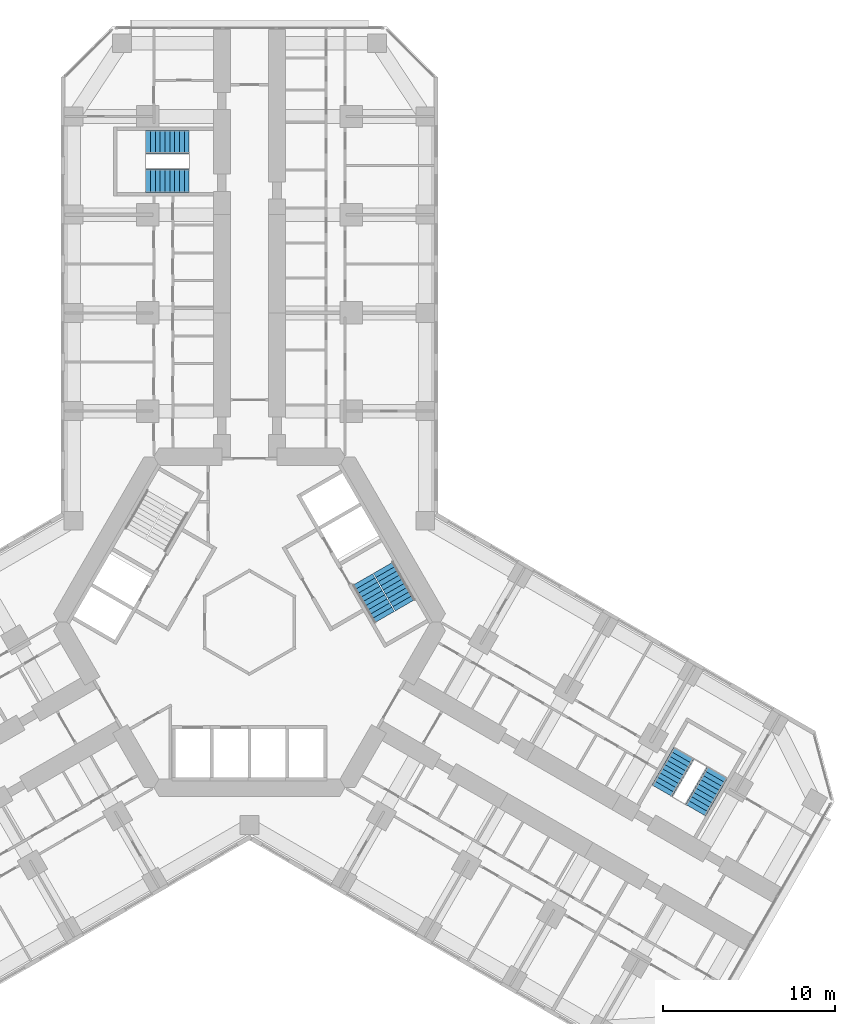
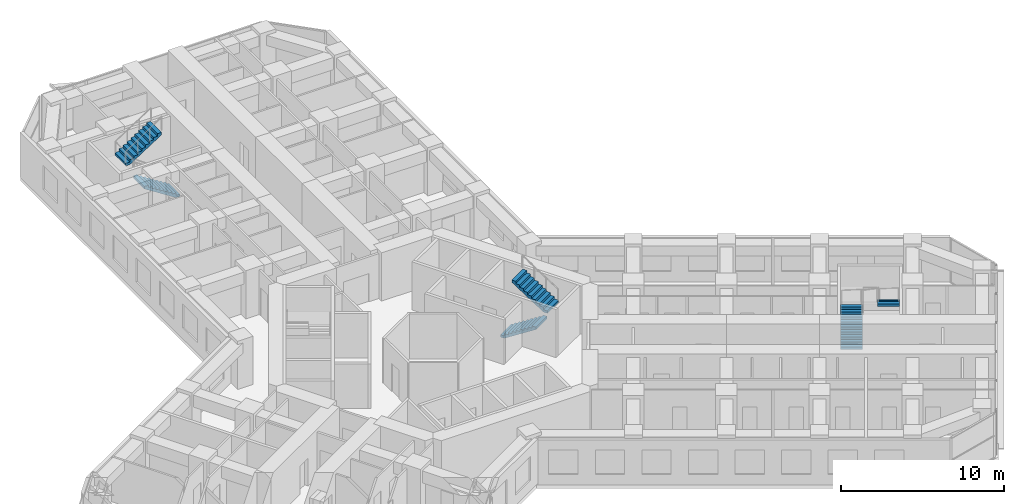
# One storey, part 20 of 21: 6 stair flights, 3 elements without a shape of their own.
"""IFC4 building model written with IfcOpenShell, lengths in metres."""

from ifc_helpers import new_model, si_unit, direction, frame, origin, place, context, subcontext, project, spatial, polyline, outline, extrude, material, type_object, element, aggregate, save


model = new_model("IFC4")

# Units and contexts
model_context = context("Model", 3, precision=1e-05, world=origin(), true_north=direction((0.0, 1.0)))
body_context = subcontext(model_context, "Body", "Model", "MODEL_VIEW")
ifc_project = project(units=[si_unit("LENGTHUNIT", "METRE"), si_unit("AREAUNIT", "SQUARE_METRE"), si_unit("VOLUMEUNIT", "CUBIC_METRE"), si_unit("PLANEANGLEUNIT", "RADIAN"), si_unit("MASSUNIT", "GRAM", prefix="KILO")], contexts=[model_context])

# Site, building, storey
site_placement = place(None, origin())
site = spatial("IfcSite", under=ifc_project, at=site_placement, CompositionType="ELEMENT")
building_placement = place(site_placement, origin())
building = spatial("IfcBuilding", under=site, at=building_placement, Name="Kosmar Iwan School Tower", CompositionType="ELEMENT")
storey_placement = place(building_placement, frame((0.0, 0.0, 39.39990234375)))
storey = spatial("IfcBuildingStorey", under=building, at=storey_placement, Name="L08", CompositionType="ELEMENT", Elevation=39.39990234375)

# Stair, stair flights
ifc_material_1 = material(Name="Concrete C35/45", Category="concrete")
stair_type_1 = type_object("IfcStairType", Name="Escape stair 3600", PredefinedType="HALF_TURN_STAIR", material=ifc_material_1)
stair_1_placement = place(storey_placement, origin())
stair_1 = element("IfcStair", 1, at=stair_1_placement, inside=storey, type_object=stair_type_1, Name="Stair WS1 L08", PredefinedType="HALF_TURN_STAIR")
ifc_material_2 = material(Name="Concrete C35/45", Category="concrete")
stair_flight_type_1 = type_object("IfcStairFlightType", Name="Escape stair flight 1350", PredefinedType="STRAIGHT", material=ifc_material_2)
stair_flight_1_placement = place(storey_placement, frame((-3.5, 25.625, 0.0), z_axis=(0.0, 0.0, 1.0), x_axis=(-1.0, 0.0, 0.0)))
stair_flight_1 = element("IfcStairFlight", 2, at=stair_flight_1_placement, type_object=stair_flight_type_1, Name="WS1 flight 1", NumberOfRisers=10, NumberOfTreads=9, PredefinedType="STRAIGHT", RiserHeight=0.18, TreadLength=0.28, context=body_context, shape_type="SweptSolid", body=[
    extrude(outline(polyline([(0.0, 0.0), (0.0, 0.179931640625), (0.280029296875, 0.179931640625), (0.280029296875, 0.360107421875), (0.56005859375, 0.360107421875), (0.56005859375, 0.5400390625), (0.840087890625, 0.5400390625), (0.840087890625, 0.719970703125), (1.1201171875, 0.719970703125), (1.1201171875, 0.89990234375), (1.39990234375, 0.89990234375), (1.39990234375, 1.080078125), (1.679931640625, 1.080078125), (1.679931640625, 1.260009765625), (1.9599609375, 1.260009765625), (1.9599609375, 1.43994140625), (2.239990234375, 1.43994140625), (2.239990234375, 1.6201171875), (2.52001953125, 1.6201171875), (2.52001953125, 1.800048828125), (2.52001953125, 1.44189453125), (0.277099609375, 0.0), (0.0, 0.0)])), frame((0.0, 0.675048828125, 0.0), z_axis=(0.0, -1.0, 0.0), x_axis=(1.0, 0.0, 0.0)), (0.0, 0.0, 1.0), 1.35009765625),
])
stair_flight_2_placement = place(storey_placement, frame((-6.02001953125, 27.875, 1.800048828125), z_axis=(0.0, 0.0, 1.0), x_axis=(1.0, 0.0, 0.0)))
stair_flight_2 = element("IfcStairFlight", 3, at=stair_flight_2_placement, type_object=stair_flight_type_1, Name="WS1 flight 2", NumberOfRisers=10, NumberOfTreads=9, PredefinedType="STRAIGHT", RiserHeight=0.18, TreadLength=0.28, context=body_context, shape_type="SweptSolid", body=[
    extrude(outline(polyline([(0.0, 0.0), (0.0, 0.179931640625), (0.280029296875, 0.179931640625), (0.280029296875, 0.360107421875), (0.56005859375, 0.360107421875), (0.56005859375, 0.5400390625), (0.840087890625, 0.5400390625), (0.840087890625, 0.719970703125), (1.1201171875, 0.719970703125), (1.1201171875, 0.89990234375), (1.39990234375, 0.89990234375), (1.39990234375, 1.080078125), (1.679931640625, 1.080078125), (1.679931640625, 1.260009765625), (1.9599609375, 1.260009765625), (1.9599609375, 1.43994140625), (2.239990234375, 1.43994140625), (2.239990234375, 1.6201171875), (2.52001953125, 1.6201171875), (2.52001953125, 1.800048828125), (2.52001953125, 1.44189453125), (0.277099609375, 0.0), (0.0, 0.0)])), frame((0.0, 0.675048828125, 0.0), z_axis=(0.0, -1.0, 0.0), x_axis=(1.0, 0.0, 0.0)), (0.0, 0.0, 1.0), 1.35009765625),
])
aggregate(stair_1, [stair_flight_1, stair_flight_2])

stair_2_placement = place(storey_placement, origin())
stair_2 = element("IfcStair", 4, at=stair_2_placement, inside=storey, type_object=stair_type_1, Name="Stair WS3 L08", PredefinedType="HALF_TURN_STAIR")
stair_flight_3_placement = place(storey_placement, frame((23.94189453125, -9.781494140625, 0.0), z_axis=(0.0, 0.0, 1.0), x_axis=(0.5, 0.866025403784, 0.0)))
stair_flight_3 = element("IfcStairFlight", 5, at=stair_flight_3_placement, type_object=stair_flight_type_1, Name="WS3 flight 1", NumberOfRisers=10, NumberOfTreads=9, PredefinedType="STRAIGHT", RiserHeight=0.18, TreadLength=0.28, context=body_context, shape_type="SweptSolid", body=[
    extrude(outline(polyline([(0.0, 0.0), (0.0, 0.179931640625), (0.280029296875, 0.179931640625), (0.280029296875, 0.360107421875), (0.56005859375, 0.360107421875), (0.56005859375, 0.5400390625), (0.840087890625, 0.5400390625), (0.840087890625, 0.719970703125), (1.1201171875, 0.719970703125), (1.1201171875, 0.89990234375), (1.39990234375, 0.89990234375), (1.39990234375, 1.080078125), (1.679931640625, 1.080078125), (1.679931640625, 1.260009765625), (1.9599609375, 1.260009765625), (1.9599609375, 1.43994140625), (2.239990234375, 1.43994140625), (2.239990234375, 1.6201171875), (2.52001953125, 1.6201171875), (2.52001953125, 1.800048828125), (2.52001953125, 1.44189453125), (0.277099609375, 0.0), (0.0, 0.0)])), frame((0.0, 0.675048828125, 0.0), z_axis=(0.0, -1.0, 0.0), x_axis=(1.0, 0.0, 0.0)), (0.0, 0.0, 1.0), 1.35009765625),
])
stair_flight_4_placement = place(storey_placement, frame((27.150390625, -8.72412109375, 1.800048828125), z_axis=(0.0, 0.0, 1.0), x_axis=(-0.5, -0.866025403784, 0.0)))
stair_flight_4 = element("IfcStairFlight", 6, at=stair_flight_4_placement, type_object=stair_flight_type_1, Name="WS3 flight 2", NumberOfRisers=10, NumberOfTreads=9, PredefinedType="STRAIGHT", RiserHeight=0.18, TreadLength=0.28, context=body_context, shape_type="SweptSolid", body=[
    extrude(outline(polyline([(0.0, 0.0), (0.0, 0.179931640625), (0.280029296875, 0.179931640625), (0.280029296875, 0.360107421875), (0.56005859375, 0.360107421875), (0.56005859375, 0.5400390625), (0.840087890625, 0.5400390625), (0.840087890625, 0.719970703125), (1.1201171875, 0.719970703125), (1.1201171875, 0.89990234375), (1.39990234375, 0.89990234375), (1.39990234375, 1.080078125), (1.679931640625, 1.080078125), (1.679931640625, 1.260009765625), (1.9599609375, 1.260009765625), (1.9599609375, 1.43994140625), (2.239990234375, 1.43994140625), (2.239990234375, 1.6201171875), (2.52001953125, 1.6201171875), (2.52001953125, 1.800048828125), (2.52001953125, 1.44189453125), (0.277099609375, 0.0), (0.0, 0.0)])), frame((0.0, 0.675048828125, 0.0), z_axis=(0.0, -1.0, 0.0), x_axis=(1.0, 0.0, 0.0)), (0.0, 0.0, 1.0), 1.35009765625),
])
aggregate(stair_2, [stair_flight_3, stair_flight_4])

ifc_material_3 = material(Name="Concrete C35/45", Category="concrete")
stair_type_2 = type_object("IfcStairType", Name="Core stair 2750", PredefinedType="HALF_TURN_STAIR", material=ifc_material_3)
stair_3_placement = place(storey_placement, origin())
stair_3 = element("IfcStair", 7, at=stair_3_placement, inside=storey, type_object=stair_type_2, Name="Stair ST1 L08", PredefinedType="HALF_TURN_STAIR")
ifc_material_4 = material(Name="Concrete C35/45", Category="concrete")
stair_flight_type_2 = type_object("IfcStairFlightType", Name="Stair flight 1350", PredefinedType="STRAIGHT", material=ifc_material_4)
stair_flight_5_placement = place(storey_placement, frame((6.567138671875, 2.475341796875, 0.0), z_axis=(0.0, 0.0, 1.0), x_axis=(0.5, -0.866025403784, 0.0)))
stair_flight_5 = element("IfcStairFlight", 8, at=stair_flight_5_placement, type_object=stair_flight_type_2, Name="ST1 flight 1", NumberOfRisers=10, NumberOfTreads=9, PredefinedType="STRAIGHT", RiserHeight=0.18, TreadLength=0.28, context=body_context, shape_type="SweptSolid", body=[
    extrude(outline(polyline([(0.0, 0.0), (0.0, 0.179931640625), (0.280029296875, 0.179931640625), (0.280029296875, 0.360107421875), (0.56005859375, 0.360107421875), (0.56005859375, 0.5400390625), (0.840087890625, 0.5400390625), (0.840087890625, 0.719970703125), (1.1201171875, 0.719970703125), (1.1201171875, 0.89990234375), (1.39990234375, 0.89990234375), (1.39990234375, 1.080078125), (1.679931640625, 1.080078125), (1.679931640625, 1.260009765625), (1.9599609375, 1.260009765625), (1.9599609375, 1.43994140625), (2.239990234375, 1.43994140625), (2.239990234375, 1.6201171875), (2.52001953125, 1.6201171875), (2.52001953125, 1.800048828125), (2.52001953125, 1.44189453125), (0.277099609375, 0.0), (0.0, 0.0)])), frame((0.0, 0.675048828125, 0.0), z_axis=(0.0, -1.0, 0.0), x_axis=(1.0, 0.0, 0.0)), (0.0, 0.0, 1.0), 1.35009765625),
])
stair_flight_6_placement = place(storey_placement, frame((9.03955078125, 0.992919921875, 1.800048828125), z_axis=(0.0, 0.0, 1.0), x_axis=(-0.5, 0.866025403784, 0.0)))
stair_flight_6 = element("IfcStairFlight", 9, at=stair_flight_6_placement, type_object=stair_flight_type_2, Name="ST1 flight 2", NumberOfRisers=10, NumberOfTreads=9, PredefinedType="STRAIGHT", RiserHeight=0.18, TreadLength=0.28, context=body_context, shape_type="SweptSolid", body=[
    extrude(outline(polyline([(0.0, 0.0), (0.0, 0.179931640625), (0.280029296875, 0.179931640625), (0.280029296875, 0.360107421875), (0.56005859375, 0.360107421875), (0.56005859375, 0.5400390625), (0.840087890625, 0.5400390625), (0.840087890625, 0.719970703125), (1.1201171875, 0.719970703125), (1.1201171875, 0.89990234375), (1.39990234375, 0.89990234375), (1.39990234375, 1.080078125), (1.679931640625, 1.080078125), (1.679931640625, 1.260009765625), (1.9599609375, 1.260009765625), (1.9599609375, 1.43994140625), (2.239990234375, 1.43994140625), (2.239990234375, 1.6201171875), (2.52001953125, 1.6201171875), (2.52001953125, 1.800048828125), (2.52001953125, 1.44189453125), (0.277099609375, 0.0), (0.0, 0.0)])), frame((0.0, 0.675048828125, 0.0), z_axis=(0.0, -1.0, 0.0), x_axis=(1.0, 0.0, 0.0)), (0.0, 0.0, 1.0), 1.35009765625),
])
aggregate(stair_3, [stair_flight_5, stair_flight_6])

save(model, "model.ifc")
